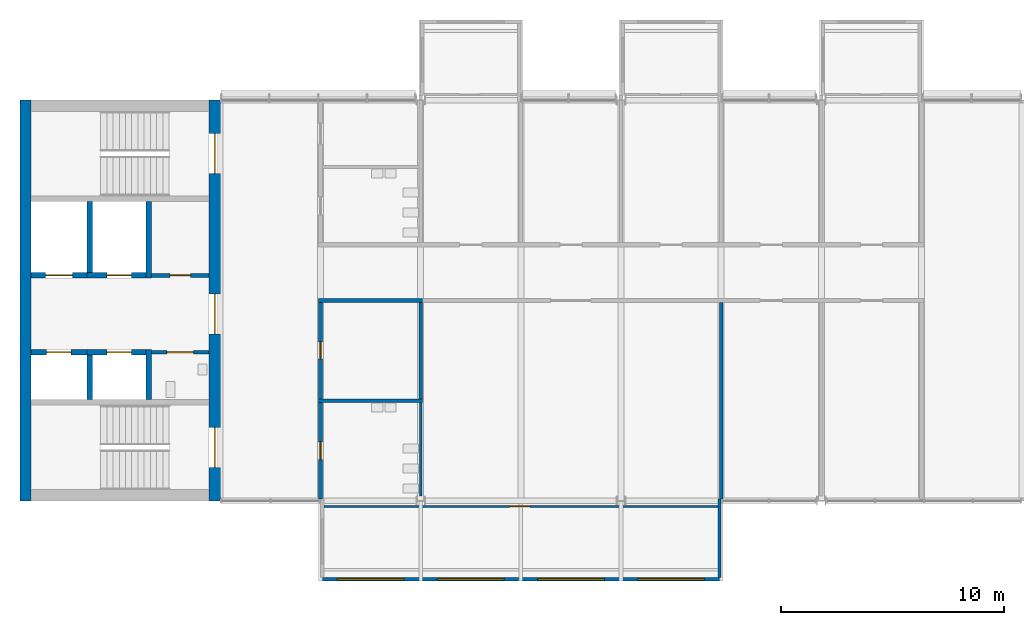
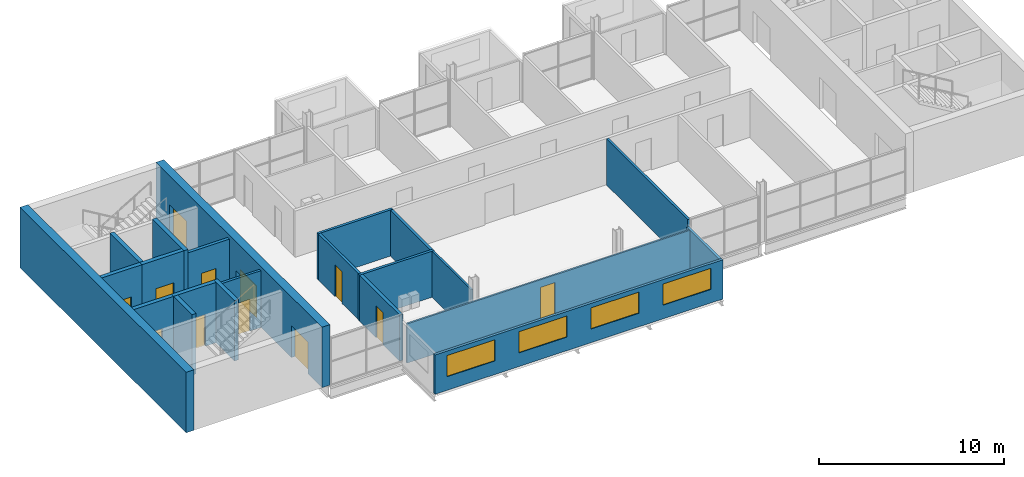
# One storey, part 5 of 11: 22 walls, 12 doors, 4 windows, 16 openings.
"""IFC4 building model written with IfcOpenShell, lengths in metres."""

from ifc_helpers import new_model, si_unit, direction, frame, frame_2d, origin, place, context, subcontext, project, spatial, rectangle, extrude, material, layer, layer_set, type_object, element, fill, save


model = new_model("IFC4")

# Units and contexts
model_context = context("Model", 3, precision=1e-05, world=origin(), true_north=direction((0.0, 1.0)))
body_context = subcontext(model_context, "Body", "Model", "MODEL_VIEW")
ifc_project = project(units=[si_unit("LENGTHUNIT", "METRE"), si_unit("AREAUNIT", "SQUARE_METRE"), si_unit("VOLUMEUNIT", "CUBIC_METRE"), si_unit("PLANEANGLEUNIT", "RADIAN"), si_unit("MASSUNIT", "GRAM", prefix="KILO")], contexts=[model_context])

# Site, building, storey
site_placement = place(None, origin())
site = spatial("IfcSite", under=ifc_project, at=site_placement, CompositionType="ELEMENT")
building_placement = place(site_placement, origin())
building = spatial("IfcBuilding", under=site, at=building_placement, Name="Corbel Yard City Hall", CompositionType="ELEMENT")
storey_placement = place(building_placement, frame((0.0, 0.0, 39.199951171875)))
storey = spatial("IfcBuildingStorey", under=building, at=storey_placement, Name="L09", CompositionType="ELEMENT", Elevation=39.199951171875)

# Walls
ifc_material_1 = material(Name="Concrete N40 (40 MPa)", Category="concrete")
ifc_layer_1 = layer(ifc_material_1, 0.25)
ifc_layer_set_1 = layer_set([ifc_layer_1], Name="Concrete N40 (40 MPa)")
wall_type_1 = type_object("IfcWallType", Name="IW2", PredefinedType="SOLIDWALL", material=ifc_layer_set_1)
wall_1_placement = place(storey_placement, frame((5.77490234375, 103.550048828125, 0.0), z_axis=(0.0, 0.0, 1.0), x_axis=(0.0, 1.0, 0.0)))
element("IfcWall", 1, at=wall_1_placement, inside=storey, type_object=wall_type_1, Name="Lift LP22 shaft wall", PredefinedType="SOLIDWALL", context=body_context, shape_type="SweptSolid", body=[
    extrude(rectangle(XDim=2.25, YDim=0.25, at=frame_2d((1.125, 0.0))), origin(), (0.0, 0.0, 1.0), 4.0),
])
wall_2_placement = place(storey_placement, frame((3.125, 103.550048828125, 0.0), z_axis=(0.0, 0.0, 1.0), x_axis=(0.0, 1.0, 0.0)))
element("IfcWall", 2, at=wall_2_placement, inside=storey, type_object=wall_type_1, Name="Lift LP22 shaft wall", PredefinedType="SOLIDWALL", context=body_context, shape_type="SweptSolid", body=[
    extrude(rectangle(XDim=2.0, YDim=0.25, at=frame_2d((1.0, 0.0))), origin(), (0.0, 0.0, 1.0), 4.0),
])

# Wall, opening, door
wall_3_placement = place(storey_placement, frame((5.64990234375, 105.675048828125, 0.0), z_axis=(0.0, 0.0, 1.0), x_axis=(-1.0, 0.0, 0.0)))
wall_3 = element("IfcWall", 3, at=wall_3_placement, inside=storey, type_object=wall_type_1, Name="Lift LP22 shaft wall", PredefinedType="SOLIDWALL", context=body_context, shape_type="SweptSolid", body=[
    extrude(rectangle(XDim=2.64990234375, YDim=0.25, at=frame_2d((1.324951171875, 0.0))), origin(), (0.0, 0.0, 1.0), 4.0),
])
opening_1_placement = place(wall_3_placement, frame((0.64990234375, 0.0, 0.0)))
opening_1 = element("IfcOpeningElement", 4, at=opening_1_placement, cuts=wall_3, Name="Opening T2-005", PredefinedType="OPENING", context=body_context, shape_type="SweptSolid", body=[
    extrude(rectangle(XDim=1.10009765625, YDim=2.10009765625, at=frame_2d((0.550048828125, 1.050048828125))), frame((0.0, 0.135009765625, 0.0), z_axis=(0.0, -1.0, 0.0), x_axis=(1.0, 0.0, 0.0)), (0.0, 0.0, 1.0), 0.27001953125),
])
ifc_material_2 = material(Name="Stainless steel Grade 316", Category="steel")
door_type_1 = type_object("IfcDoorType", Name="LD1", OperationType="DOUBLE_DOOR_SLIDING", PredefinedType="DOOR", material=ifc_material_2)
door_1_placement = place(opening_1_placement, origin())
door_1 = element("IfcDoor", 5, at=door_1_placement, inside=storey, type_object=door_type_1, Name="Lift LP22 landing door", OperationType="DOUBLE_DOOR_SLIDING", OverallHeight=2.10009765625, OverallWidth=1.10009765625, PredefinedType="DOOR", context=body_context, shape_type="SweptSolid", body=[
    extrude(rectangle(XDim=1.10009765625, YDim=2.10009765625, at=frame_2d((0.550048828125, 1.050048828125))), frame((0.0, 0.02490234375, 0.0), z_axis=(0.0, -1.0, 0.0), x_axis=(1.0, 0.0, 0.0)), (0.0, 0.0, 1.0), 0.050048828125),
])
fill(opening_1, door_1)

wall_4_placement = place(storey_placement, frame((3.0, 105.675048828125, 0.0), z_axis=(0.0, 0.0, 1.0), x_axis=(-1.0, 0.0, 0.0)))
wall_4 = element("IfcWall", 6, at=wall_4_placement, inside=storey, type_object=wall_type_1, Name="Lift LP23 shaft wall", PredefinedType="SOLIDWALL", context=body_context, shape_type="SweptSolid", body=[
    extrude(rectangle(XDim=2.5, YDim=0.25, at=frame_2d((1.25, 0.0))), origin(), (0.0, 0.0, 1.0), 4.0),
])
opening_2_placement = place(wall_4_placement, frame((0.699951171875, 0.0, 0.0)))
opening_2 = element("IfcOpeningElement", 7, at=opening_2_placement, cuts=wall_4, Name="Opening T2-006", PredefinedType="OPENING", context=body_context, shape_type="SweptSolid", body=[
    extrude(rectangle(XDim=1.10009765625, YDim=2.10009765625, at=frame_2d((0.550048828125, 1.050048828125))), frame((0.0, 0.135009765625, 0.0), z_axis=(0.0, -1.0, 0.0), x_axis=(1.0, 0.0, 0.0)), (0.0, 0.0, 1.0), 0.27001953125),
])
door_2_placement = place(opening_2_placement, origin())
door_2 = element("IfcDoor", 8, at=door_2_placement, inside=storey, type_object=door_type_1, Name="Lift LP23 landing door", OperationType="DOUBLE_DOOR_SLIDING", OverallHeight=2.10009765625, OverallWidth=1.10009765625, PredefinedType="DOOR", context=body_context, shape_type="SweptSolid", body=[
    extrude(rectangle(XDim=1.10009765625, YDim=2.10009765625, at=frame_2d((0.550048828125, 1.050048828125))), frame((0.0, 0.02490234375, 0.0), z_axis=(0.0, -1.0, 0.0), x_axis=(1.0, 0.0, 0.0)), (0.0, 0.0, 1.0), 0.050048828125),
])
fill(opening_2, door_2)

# Walls
wall_5_placement = place(storey_placement, frame((5.77490234375, 109.0, 0.0), z_axis=(0.0, 0.0, 1.0), x_axis=(0.0, 1.0, 0.0)))
element("IfcWall", 9, at=wall_5_placement, inside=storey, type_object=wall_type_1, Name="Lift LP24 shaft wall", PredefinedType="SOLIDWALL", context=body_context, shape_type="SweptSolid", body=[
    extrude(rectangle(XDim=3.449951171875, YDim=0.25, at=frame_2d((1.72509765625, 0.0))), origin(), (0.0, 0.0, 1.0), 4.0),
])
wall_6_placement = place(storey_placement, frame((3.125, 109.25, 0.0), z_axis=(0.0, 0.0, 1.0), x_axis=(0.0, 1.0, 0.0)))
element("IfcWall", 10, at=wall_6_placement, inside=storey, type_object=wall_type_1, Name="Lift LP24 shaft wall", PredefinedType="SOLIDWALL", context=body_context, shape_type="SweptSolid", body=[
    extrude(rectangle(XDim=3.199951171875, YDim=0.25, at=frame_2d((1.60009765625, 0.0))), origin(), (0.0, 0.0, 1.0), 4.0),
])

# Wall, opening, door
wall_7_placement = place(storey_placement, frame((5.64990234375, 109.125, 0.0), z_axis=(0.0, 0.0, 1.0), x_axis=(-1.0, 0.0, 0.0)))
wall_7 = element("IfcWall", 11, at=wall_7_placement, inside=storey, type_object=wall_type_1, Name="Lift LP24 shaft wall", PredefinedType="SOLIDWALL", context=body_context, shape_type="SweptSolid", body=[
    extrude(rectangle(XDim=2.64990234375, YDim=0.25, at=frame_2d((1.324951171875, 0.0))), origin(), (0.0, 0.0, 1.0), 4.0),
])
opening_3_placement = place(wall_7_placement, frame((0.64990234375, 0.0, 0.0)))
opening_3 = element("IfcOpeningElement", 12, at=opening_3_placement, cuts=wall_7, Name="Opening T2-007", PredefinedType="OPENING", context=body_context, shape_type="SweptSolid", body=[
    extrude(rectangle(XDim=1.10009765625, YDim=2.10009765625, at=frame_2d((0.550048828125, 1.050048828125))), frame((0.0, 0.135009765625, 0.0), z_axis=(0.0, -1.0, 0.0), x_axis=(1.0, 0.0, 0.0)), (0.0, 0.0, 1.0), 0.27001953125),
])
door_3_placement = place(opening_3_placement, origin())
door_3 = element("IfcDoor", 13, at=door_3_placement, inside=storey, type_object=door_type_1, Name="Lift LP24 landing door", OperationType="DOUBLE_DOOR_SLIDING", OverallHeight=2.10009765625, OverallWidth=1.10009765625, PredefinedType="DOOR", context=body_context, shape_type="SweptSolid", body=[
    extrude(rectangle(XDim=1.10009765625, YDim=2.10009765625, at=frame_2d((0.550048828125, 1.050048828125))), frame((0.0, 0.02490234375, 0.0), z_axis=(0.0, -1.0, 0.0), x_axis=(1.0, 0.0, 0.0)), (0.0, 0.0, 1.0), 0.050048828125),
])
fill(opening_3, door_3)

wall_8_placement = place(storey_placement, frame((3.0, 109.125, 0.0), z_axis=(0.0, 0.0, 1.0), x_axis=(-1.0, 0.0, 0.0)))
wall_8 = element("IfcWall", 14, at=wall_8_placement, inside=storey, type_object=wall_type_1, Name="Lift LF1 shaft wall", PredefinedType="SOLIDWALL", context=body_context, shape_type="SweptSolid", body=[
    extrude(rectangle(XDim=2.5, YDim=0.25, at=frame_2d((1.25, 0.0))), origin(), (0.0, 0.0, 1.0), 4.0),
])
opening_4_placement = place(wall_8_placement, frame((0.64990234375, 0.0, 0.0)))
opening_4 = element("IfcOpeningElement", 15, at=opening_4_placement, cuts=wall_8, Name="Opening T2-008", PredefinedType="OPENING", context=body_context, shape_type="SweptSolid", body=[
    extrude(rectangle(XDim=1.199951171875, YDim=2.10009765625, at=frame_2d((0.60009765625, 1.050048828125))), frame((0.0, 0.135009765625, 0.0), z_axis=(0.0, -1.0, 0.0), x_axis=(1.0, 0.0, 0.0)), (0.0, 0.0, 1.0), 0.27001953125),
])
door_type_2 = type_object("IfcDoorType", Name="LD2", OperationType="DOUBLE_DOOR_SLIDING", PredefinedType="DOOR", material=ifc_material_2)
door_4_placement = place(opening_4_placement, origin())
door_4 = element("IfcDoor", 16, at=door_4_placement, inside=storey, type_object=door_type_2, Name="Lift LF1 landing door", OperationType="DOUBLE_DOOR_SLIDING", OverallHeight=2.10009765625, OverallWidth=1.199951171875, PredefinedType="DOOR", context=body_context, shape_type="SweptSolid", body=[
    extrude(rectangle(XDim=1.199951171875, YDim=2.10009765625, at=frame_2d((0.60009765625, 1.050048828125))), frame((0.0, 0.02490234375, 0.0), z_axis=(0.0, -1.0, 0.0), x_axis=(1.0, 0.0, 0.0)), (0.0, 0.0, 1.0), 0.050048828125),
])
fill(opening_4, door_4)

# Wall, openings, windows
ifc_material_3 = material(Name="Anodised aluminium", Category="aluminium")
ifc_layer_2 = layer(ifc_material_3, 0.02392578125)
ifc_material_4 = material(Name="Steel Grade G550 (550 MPa yield)", Category="steel")
ifc_layer_3 = layer(ifc_material_4, 0.10009765625)
ifc_material_5 = material(Name="Gypsum plasterboard", Category="gypsum")
ifc_layer_4 = layer(ifc_material_5, 0.02587890625)
ifc_layer_set_2 = layer_set([ifc_layer_2, ifc_layer_3, ifc_layer_4], Name="Steel Grade G550 (550 MPa yield)")
wall_type_2 = type_object("IfcWallType", Name="PD1", PredefinedType="SOLIDWALL", material=ifc_layer_set_2)
wall_9_placement = place(storey_placement, frame((13.5, 95.47509765625, 0.0), z_axis=(0.0, 0.0, 1.0), x_axis=(1.0, 0.0, 0.0)))
wall_9 = element("IfcWall", 17, at=wall_9_placement, inside=storey, type_object=wall_type_2, Name="Pod outer wall L09", PredefinedType="SOLIDWALL", context=body_context, shape_type="SweptSolid", body=[
    extrude(rectangle(XDim=18.0, YDim=0.14990234375, at=frame_2d((9.0, 0.0))), origin(), (0.0, 0.0, 1.0), 2.60009765625),
])
opening_5_placement = place(wall_9_placement, frame((0.75, 0.0, 0.89990234375)))
opening_5 = element("IfcOpeningElement", 18, at=opening_5_placement, cuts=wall_9, Name="Opening WN5", PredefinedType="OPENING", context=body_context, shape_type="SweptSolid", body=[
    extrude(rectangle(XDim=3.0, YDim=1.39990234375, at=frame_2d((1.5, 0.699951171875))), frame((0.0, 0.0849609375, 0.0), z_axis=(0.0, -1.0, 0.0), x_axis=(1.0, 0.0, 0.0)), (0.0, 0.0, 1.0), 0.169921875),
])
opening_6_placement = place(wall_9_placement, frame((5.25, 0.0, 0.89990234375)))
opening_6 = element("IfcOpeningElement", 19, at=opening_6_placement, cuts=wall_9, Name="Opening WN5", PredefinedType="OPENING", context=body_context, shape_type="SweptSolid", body=[
    extrude(rectangle(XDim=3.0, YDim=1.39990234375, at=frame_2d((1.5, 0.699951171875))), frame((0.0, 0.0849609375, 0.0), z_axis=(0.0, -1.0, 0.0), x_axis=(1.0, 0.0, 0.0)), (0.0, 0.0, 1.0), 0.169921875),
])
opening_7_placement = place(wall_9_placement, frame((9.75, 0.0, 0.89990234375)))
opening_7 = element("IfcOpeningElement", 20, at=opening_7_placement, cuts=wall_9, Name="Opening WN5", PredefinedType="OPENING", context=body_context, shape_type="SweptSolid", body=[
    extrude(rectangle(XDim=3.0, YDim=1.39990234375, at=frame_2d((1.5, 0.699951171875))), frame((0.0, 0.0849609375, 0.0), z_axis=(0.0, -1.0, 0.0), x_axis=(1.0, 0.0, 0.0)), (0.0, 0.0, 1.0), 0.169921875),
])
opening_8_placement = place(wall_9_placement, frame((14.25, 0.0, 0.89990234375)))
opening_8 = element("IfcOpeningElement", 21, at=opening_8_placement, cuts=wall_9, Name="Opening WN5", PredefinedType="OPENING", context=body_context, shape_type="SweptSolid", body=[
    extrude(rectangle(XDim=3.0, YDim=1.39990234375, at=frame_2d((1.5, 0.699951171875))), frame((0.0, 0.0849609375, 0.0), z_axis=(0.0, -1.0, 0.0), x_axis=(1.0, 0.0, 0.0)), (0.0, 0.0, 1.0), 0.169921875),
])
ifc_material_6 = material(Name="Aluminium frame, double glazed low-e glass", Category="aluminium")
window_type = type_object("IfcWindowType", Name="WN5", PartitioningType="SINGLE_PANEL", PredefinedType="WINDOW", material=ifc_material_6)
window_1_placement = place(opening_5_placement, origin())
window_1 = element("IfcWindow", 22, at=window_1_placement, inside=storey, type_object=window_type, Name="Window WN5 L09", OverallHeight=1.39990234375, OverallWidth=3.0, PartitioningType="SINGLE_PANEL", PredefinedType="WINDOW", context=body_context, shape_type="SweptSolid", body=[
    extrude(rectangle(XDim=3.0, YDim=1.39990234375, at=frame_2d((1.5, 0.699951171875))), frame((0.0, 0.030029296875, 0.0), z_axis=(0.0, -1.0, 0.0), x_axis=(1.0, 0.0, 0.0)), (0.0, 0.0, 1.0), 0.06005859375),
])
fill(opening_5, window_1)
window_2_placement = place(opening_6_placement, origin())
window_2 = element("IfcWindow", 23, at=window_2_placement, inside=storey, type_object=window_type, Name="Window WN5 L09", OverallHeight=1.39990234375, OverallWidth=3.0, PartitioningType="SINGLE_PANEL", PredefinedType="WINDOW", context=body_context, shape_type="SweptSolid", body=[
    extrude(rectangle(XDim=3.0, YDim=1.39990234375, at=frame_2d((1.5, 0.699951171875))), frame((0.0, 0.030029296875, 0.0), z_axis=(0.0, -1.0, 0.0), x_axis=(1.0, 0.0, 0.0)), (0.0, 0.0, 1.0), 0.06005859375),
])
fill(opening_6, window_2)
window_3_placement = place(opening_7_placement, origin())
window_3 = element("IfcWindow", 24, at=window_3_placement, inside=storey, type_object=window_type, Name="Window WN5 L09", OverallHeight=1.39990234375, OverallWidth=3.0, PartitioningType="SINGLE_PANEL", PredefinedType="WINDOW", context=body_context, shape_type="SweptSolid", body=[
    extrude(rectangle(XDim=3.0, YDim=1.39990234375, at=frame_2d((1.5, 0.699951171875))), frame((0.0, 0.030029296875, 0.0), z_axis=(0.0, -1.0, 0.0), x_axis=(1.0, 0.0, 0.0)), (0.0, 0.0, 1.0), 0.06005859375),
])
fill(opening_7, window_3)
window_4_placement = place(opening_8_placement, origin())
window_4 = element("IfcWindow", 25, at=window_4_placement, inside=storey, type_object=window_type, Name="Window WN5 L09", OverallHeight=1.39990234375, OverallWidth=3.0, PartitioningType="SINGLE_PANEL", PredefinedType="WINDOW", context=body_context, shape_type="SweptSolid", body=[
    extrude(rectangle(XDim=3.0, YDim=1.39990234375, at=frame_2d((1.5, 0.699951171875))), frame((0.0, 0.030029296875, 0.0), z_axis=(0.0, -1.0, 0.0), x_axis=(1.0, 0.0, 0.0)), (0.0, 0.0, 1.0), 0.06005859375),
])
fill(opening_8, window_4)

# Wall, opening, door
ifc_layer_5 = layer(ifc_material_5, 0.01806640625)
ifc_layer_6 = layer(ifc_material_4, 0.06396484375)
ifc_layer_7 = layer(ifc_material_5, 0.01806640625)
ifc_layer_set_3 = layer_set([ifc_layer_5, ifc_layer_6, ifc_layer_7], Name="Steel Grade G550 (550 MPa yield)")
wall_type_3 = type_object("IfcWallType", Name="PD2", PredefinedType="PARTITIONING", material=ifc_layer_set_3)
wall_10_placement = place(storey_placement, frame((13.64990234375, 98.75, 0.0), z_axis=(0.0, 0.0, 1.0), x_axis=(1.0, 0.0, 0.0)))
wall_10 = element("IfcWall", 26, at=wall_10_placement, inside=storey, type_object=wall_type_3, Name="Pod inner wall L09", PredefinedType="PARTITIONING", context=body_context, shape_type="SweptSolid", body=[
    extrude(rectangle(XDim=17.7001953125, YDim=0.10009765625, at=frame_2d((8.85009765625, 0.0))), origin(), (0.0, 0.0, 1.0), 2.60009765625),
])
opening_9_placement = place(wall_10_placement, frame((8.35009765625, 0.0, 0.0)))
opening_9 = element("IfcOpeningElement", 27, at=opening_9_placement, cuts=wall_10, Name="Opening T2-001", PredefinedType="OPENING", context=body_context, shape_type="SweptSolid", body=[
    extrude(rectangle(XDim=0.89990234375, YDim=2.10009765625, at=frame_2d((0.449951171875, 1.050048828125))), frame((0.0, 0.06005859375, 0.0), z_axis=(0.0, -1.0, 0.0), x_axis=(1.0, 0.0, 0.0)), (0.0, 0.0, 1.0), 0.1201171875),
])
ifc_material_7 = material(Name="Timber, solid core", Category="wood")
door_type_3 = type_object("IfcDoorType", Name="XD6", OperationType="SINGLE_SWING_LEFT", PredefinedType="DOOR", material=ifc_material_7)
door_5_placement = place(opening_9_placement, frame((0.89990234375, 0.0, 0.0), z_axis=(0.0, 0.0, 1.0), x_axis=(-1.0, 0.0, 0.0)))
door_5 = element("IfcDoor", 28, at=door_5_placement, inside=storey, type_object=door_type_3, Name="Pod door L09", OperationType="SINGLE_SWING_RIGHT", OverallHeight=2.10009765625, OverallWidth=0.89990234375, PredefinedType="DOOR", context=body_context, shape_type="SweptSolid", body=[
    extrude(rectangle(XDim=0.89990234375, YDim=2.10009765625, at=frame_2d((0.449951171875, 1.050048828125))), frame((0.0, 0.02490234375, 0.0), z_axis=(0.0, -1.0, 0.0), x_axis=(1.0, 0.0, 0.0)), (0.0, 0.0, 1.0), 0.050048828125),
])
fill(opening_9, door_5)

# Walls
ifc_layer_8 = layer(ifc_material_3, 0.02392578125)
ifc_layer_9 = layer(ifc_material_4, 0.10009765625)
ifc_layer_10 = layer(ifc_material_5, 0.02587890625)
ifc_layer_set_4 = layer_set([ifc_layer_8, ifc_layer_9, ifc_layer_10], Name="Steel Grade G550 (550 MPa yield)")
wall_type_4 = type_object("IfcWallType", Name="PD3", PredefinedType="SOLIDWALL", material=ifc_layer_set_4)
wall_11_placement = place(storey_placement, frame((31.425048828125, 95.550048828125, -0.14990234375), z_axis=(0.0, 0.0, 1.0), x_axis=(0.0, 1.0, 0.0)))
element("IfcWall", 29, at=wall_11_placement, inside=storey, type_object=wall_type_4, Name="Pod side wall L09", PredefinedType="SOLIDWALL", context=body_context, shape_type="SweptSolid", body=[
    extrude(rectangle(XDim=3.52490234375, YDim=0.14990234375, at=frame_2d((1.762451171875, 0.0))), origin(), (0.0, 0.0, 1.0), 2.75),
])
ifc_layer_11 = layer(ifc_material_5, 0.028076171875)
ifc_layer_12 = layer(ifc_material_4, 0.06396484375)
ifc_layer_13 = layer(ifc_material_5, 0.028076171875)
ifc_layer_set_5 = layer_set([ifc_layer_11, ifc_layer_12, ifc_layer_13], Name="Steel Grade G550 (550 MPa yield)")
wall_type_5 = type_object("IfcWallType", Name="PT1", PredefinedType="PARTITIONING", material=ifc_layer_set_5)
wall_12_placement = place(storey_placement, frame((18.0, 99.20703125, 0.0), z_axis=(0.0, 0.0, 1.0), x_axis=(0.0, 1.0, 0.0)))
element("IfcWall", 30, at=wall_12_placement, inside=storey, type_object=wall_type_5, Name="Partition", PredefinedType="PARTITIONING", context=body_context, shape_type="SweptSolid", body=[
    extrude(rectangle(XDim=4.212890625, YDim=0.1201171875, at=frame_2d((2.1064453125, 0.0))), origin(), (0.0, 0.0, 1.0), 3.050048828125),
])

# Wall, opening, door
ifc_layer_14 = layer(ifc_material_5, 0.031982421875)
ifc_layer_15 = layer(ifc_material_4, 0.135986328125)
ifc_layer_16 = layer(ifc_material_5, 0.031982421875)
ifc_layer_set_6 = layer_set([ifc_layer_14, ifc_layer_15, ifc_layer_16], Name="Steel Grade G550 (550 MPa yield)")
wall_type_6 = type_object("IfcWallType", Name="PT2", PredefinedType="PARTITIONING", material=ifc_layer_set_6)
wall_13_placement = place(storey_placement, frame((13.5, 99.074951171875, 0.0), z_axis=(0.0, 0.0, 1.0), x_axis=(0.0, 1.0, 0.0)))
wall_13 = element("IfcWall", 31, at=wall_13_placement, inside=storey, type_object=wall_type_6, Name="Acoustic wall", PredefinedType="PARTITIONING", context=body_context, shape_type="SweptSolid", body=[
    extrude(rectangle(XDim=4.344970703125, YDim=0.199951171875, at=frame_2d((2.17236328125, 0.0))), origin(), (0.0, 0.0, 1.0), 3.050048828125),
])
opening_10_placement = place(wall_13_placement, frame((1.77490234375, 0.0, 0.0)))
opening_10 = element("IfcOpeningElement", 32, at=opening_10_placement, cuts=wall_13, Name="Opening T2-013", PredefinedType="OPENING", context=body_context, shape_type="SweptSolid", body=[
    extrude(rectangle(XDim=0.800048828125, YDim=2.10009765625, at=frame_2d((0.39990234375, 1.050048828125))), frame((0.0, 0.10986328125, 0.0), z_axis=(0.0, -1.0, 0.0), x_axis=(1.0, 0.0, 0.0)), (0.0, 0.0, 1.0), 0.219970703125),
])
ifc_material_8 = material(Name="Timber", Category="wood")
door_type_4 = type_object("IfcDoorType", Name="D44", OperationType="SINGLE_SWING_LEFT", PredefinedType="DOOR", material=ifc_material_8)
door_6_placement = place(opening_10_placement, frame((0.800048828125, 0.0, 0.0), z_axis=(0.0, 0.0, 1.0), x_axis=(-1.0, 0.0, 0.0)))
door_6 = element("IfcDoor", 33, at=door_6_placement, inside=storey, type_object=door_type_4, Name="Door Women's WC 0904", OperationType="SINGLE_SWING_LEFT", OverallHeight=2.10009765625, OverallWidth=0.800048828125, PredefinedType="DOOR", context=body_context, shape_type="SweptSolid", body=[
    extrude(rectangle(XDim=0.800048828125, YDim=2.10009765625, at=frame_2d((0.39990234375, 1.050048828125))), frame((0.0, 0.02490234375, 0.0), z_axis=(0.0, -1.0, 0.0), x_axis=(1.0, 0.0, 0.0)), (0.0, 0.0, 1.0), 0.050048828125),
])
fill(opening_10, door_6)

ifc_layer_17 = layer(ifc_material_5, 0.031982421875)
ifc_layer_18 = layer(ifc_material_4, 0.095947265625)
ifc_layer_19 = layer(ifc_material_5, 0.031982421875)
ifc_layer_set_7 = layer_set([ifc_layer_17, ifc_layer_18, ifc_layer_19], Name="Steel Grade G550 (550 MPa yield)")
wall_type_7 = type_object("IfcWallType", Name="PT3", PredefinedType="PARTITIONING", material=ifc_layer_set_7)
wall_14_placement = place(storey_placement, frame((8.5, 105.675048828125, 0.0), z_axis=(0.0, 0.0, 1.0), x_axis=(-1.0, 0.0, 0.0)))
wall_14 = element("IfcWall", 34, at=wall_14_placement, inside=storey, type_object=wall_type_7, Name="Accessible WC wall", PredefinedType="PARTITIONING", context=body_context, shape_type="SweptSolid", body=[
    extrude(rectangle(XDim=2.60009765625, YDim=0.159912109375, at=frame_2d((1.300048828125, 0.0))), origin(), (0.0, 0.0, 1.0), 3.75),
])
opening_11_placement = place(wall_14_placement, frame((0.699951171875, 0.0, 0.0)))
opening_11 = element("IfcOpeningElement", 35, at=opening_11_placement, cuts=wall_14, Name="Opening T2-028", PredefinedType="OPENING", context=body_context, shape_type="SweptSolid", body=[
    extrude(rectangle(XDim=1.199951171875, YDim=2.10009765625, at=frame_2d((0.60009765625, 1.050048828125))), frame((0.0, 0.08984375, 0.0), z_axis=(0.0, -1.0, 0.0), x_axis=(1.0, 0.0, 0.0)), (0.0, 0.0, 1.0), 0.179931640625),
])
ifc_material_9 = material(Name="Steel Grade G250", Category="steel")
door_type_5 = type_object("IfcDoorType", Name="FD7", OperationType="SINGLE_SWING_LEFT", PredefinedType="DOOR", material=ifc_material_9)
door_7_placement = place(opening_11_placement, origin())
door_7 = element("IfcDoor", 36, at=door_7_placement, inside=storey, type_object=door_type_5, Name="Door accessible WC West", OperationType="SINGLE_SWING_LEFT", OverallHeight=2.10009765625, OverallWidth=1.199951171875, PredefinedType="DOOR", context=body_context, shape_type="SweptSolid", body=[
    extrude(rectangle(XDim=1.199951171875, YDim=2.10009765625, at=frame_2d((0.60009765625, 1.050048828125))), frame((0.0, 0.02490234375, 0.0), z_axis=(0.0, -1.0, 0.0), x_axis=(1.0, 0.0, 0.0)), (0.0, 0.0, 1.0), 0.050048828125),
])
fill(opening_11, door_7)

# Walls
wall_15_placement = place(storey_placement, frame((13.39990234375, 103.5, 0.0), z_axis=(0.0, 0.0, 1.0), x_axis=(1.0, 0.0, 0.0)))
element("IfcWall", 37, at=wall_15_placement, inside=storey, type_object=wall_type_7, Name="Fire-resisting wall", PredefinedType="PARTITIONING", context=body_context, shape_type="SweptSolid", body=[
    extrude(rectangle(XDim=4.68017578125, YDim=0.159912109375, at=frame_2d((2.340087890625, 0.0))), origin(), (0.0, 0.0, 1.0), 3.050048828125),
])
wall_16_placement = place(storey_placement, frame((13.419921875, 108.0, 0.0), z_axis=(0.0, 0.0, 1.0), x_axis=(1.0, 0.0, 0.0)))
element("IfcWall", 38, at=wall_16_placement, inside=storey, type_object=wall_type_7, Name="Fire-resisting wall", PredefinedType="PARTITIONING", context=body_context, shape_type="SweptSolid", body=[
    extrude(rectangle(XDim=4.66015625, YDim=0.159912109375, at=frame_2d((2.330078125, 0.0))), origin(), (0.0, 0.0, 1.0), 3.050048828125),
])

# Wall, opening, door
wall_17_placement = place(storey_placement, frame((13.5, 103.580078125, 0.0), z_axis=(0.0, 0.0, 1.0), x_axis=(0.0, 1.0, 0.0)))
wall_17 = element("IfcWall", 39, at=wall_17_placement, inside=storey, type_object=wall_type_7, Name="Fire-resisting wall", PredefinedType="PARTITIONING", context=body_context, shape_type="SweptSolid", body=[
    extrude(rectangle(XDim=4.33984375, YDim=0.159912109375, at=frame_2d((2.169921875, 0.0))), origin(), (0.0, 0.0, 1.0), 3.050048828125),
])
opening_12_placement = place(wall_17_placement, frame((1.794921875, 0.0, 0.0)))
opening_12 = element("IfcOpeningElement", 40, at=opening_12_placement, cuts=wall_17, Name="Opening T2-014", PredefinedType="OPENING", context=body_context, shape_type="SweptSolid", body=[
    extrude(rectangle(XDim=0.75, YDim=2.10009765625, at=frame_2d((0.375, 1.050048828125))), frame((0.0, 0.08984375, 0.0), z_axis=(0.0, -1.0, 0.0), x_axis=(1.0, 0.0, 0.0)), (0.0, 0.0, 1.0), 0.179931640625),
])
door_type_6 = type_object("IfcDoorType", Name="FD42", OperationType="SINGLE_SWING_LEFT", PredefinedType="DOOR", material=ifc_material_9)
door_8_placement = place(opening_12_placement, frame((0.75, 0.0, 0.0), z_axis=(0.0, 0.0, 1.0), x_axis=(-1.0, 0.0, 0.0)))
door_8 = element("IfcDoor", 41, at=door_8_placement, inside=storey, type_object=door_type_6, Name="Door Cleaners' Room 0905", OperationType="SINGLE_SWING_RIGHT", OverallHeight=2.10009765625, OverallWidth=0.75, PredefinedType="DOOR", context=body_context, shape_type="SweptSolid", body=[
    extrude(rectangle(XDim=0.75, YDim=2.10009765625, at=frame_2d((0.375, 1.050048828125))), frame((0.0, 0.02490234375, 0.0), z_axis=(0.0, -1.0, 0.0), x_axis=(1.0, 0.0, 0.0)), (0.0, 0.0, 1.0), 0.050048828125),
])
fill(opening_12, door_8)

# Wall
wall_18_placement = place(storey_placement, frame((18.0, 103.580078125, 0.0), z_axis=(0.0, 0.0, 1.0), x_axis=(0.0, 1.0, 0.0)))
element("IfcWall", 42, at=wall_18_placement, inside=storey, type_object=wall_type_7, Name="Fire-resisting wall", PredefinedType="PARTITIONING", context=body_context, shape_type="SweptSolid", body=[
    extrude(rectangle(XDim=4.31982421875, YDim=0.159912109375, at=frame_2d((2.159912109375, 0.0))), origin(), (0.0, 0.0, 1.0), 3.050048828125),
])

# Wall, opening, door
ifc_material_10 = material(Name="Concrete block", Category="concrete")
ifc_layer_20 = layer(ifc_material_10, 0.18994140625)
ifc_layer_set_8 = layer_set([ifc_layer_20], Name="Concrete block")
wall_type_8 = type_object("IfcWallType", Name="PT4", PredefinedType="PARTITIONING", material=ifc_layer_set_8)
wall_19_placement = place(storey_placement, frame((8.5, 109.125, 0.0), z_axis=(0.0, 0.0, 1.0), x_axis=(-1.0, 0.0, 0.0)))
wall_19 = element("IfcWall", 43, at=wall_19_placement, inside=storey, type_object=wall_type_8, Name="Riser wall", PredefinedType="PARTITIONING", context=body_context, shape_type="SweptSolid", body=[
    extrude(rectangle(XDim=2.60009765625, YDim=0.18994140625, at=frame_2d((1.300048828125, 0.0))), origin(), (0.0, 0.0, 1.0), 3.75),
])
opening_13_placement = place(wall_19_placement, frame((0.840087890625, 0.0, 0.0)))
opening_13 = element("IfcOpeningElement", 44, at=opening_13_placement, cuts=wall_19, Name="Opening T2-029", PredefinedType="OPENING", context=body_context, shape_type="SweptSolid", body=[
    extrude(rectangle(XDim=0.919921875, YDim=2.10009765625, at=frame_2d((0.4599609375, 1.050048828125))), frame((0.0, 0.10498046875, 0.0), z_axis=(0.0, -1.0, 0.0), x_axis=(1.0, 0.0, 0.0)), (0.0, 0.0, 1.0), 0.2099609375),
])
door_type_7 = type_object("IfcDoorType", Name="FS4", OperationType="SINGLE_SWING_LEFT", PredefinedType="DOOR", material=ifc_material_9)
door_9_placement = place(opening_13_placement, frame((0.919921875, 0.0, 0.0), z_axis=(0.0, 0.0, 1.0), x_axis=(-1.0, 0.0, 0.0)))
door_9 = element("IfcDoor", 45, at=door_9_placement, inside=storey, type_object=door_type_7, Name="Door riser West", OperationType="SINGLE_SWING_RIGHT", OverallHeight=2.10009765625, OverallWidth=0.919921875, PredefinedType="DOOR", context=body_context, shape_type="SweptSolid", body=[
    extrude(rectangle(XDim=0.919921875, YDim=2.10009765625, at=frame_2d((0.4599609375, 1.050048828125))), frame((0.0, 0.02490234375, 0.0), z_axis=(0.0, -1.0, 0.0), x_axis=(1.0, 0.0, 0.0)), (0.0, 0.0, 1.0), 0.050048828125),
])
fill(opening_13, door_9)

# Walls
ifc_layer_21 = layer(ifc_material_5, 0.031982421875)
ifc_layer_22 = layer(ifc_material_4, 0.0859375)
ifc_layer_23 = layer(ifc_material_5, 0.031982421875)
ifc_layer_set_9 = layer_set([ifc_layer_21, ifc_layer_22, ifc_layer_23], Name="Steel Grade G550 (550 MPa yield)")
wall_type_9 = type_object("IfcWallType", Name="PT7", PredefinedType="PARTITIONING", material=ifc_layer_set_9)
wall_20_placement = place(storey_placement, frame((31.5, 99.074951171875, 0.0), z_axis=(0.0, 0.0, 1.0), x_axis=(0.0, 1.0, 0.0)))
element("IfcWall", 46, at=wall_20_placement, inside=storey, type_object=wall_type_9, Name="Suite partition", PredefinedType="PARTITIONING", context=body_context, shape_type="SweptSolid", body=[
    extrude(rectangle(XDim=8.824951171875, YDim=0.14990234375, at=frame_2d((4.41259765625, 0.0))), origin(), (0.0, 0.0, 1.0), 3.050048828125),
])
ifc_material_11 = material(Name="Concrete N50 (50 MPa)", Category="concrete")
ifc_layer_24 = layer(ifc_material_11, 0.5)
ifc_layer_set_10 = layer_set([ifc_layer_24], Name="Concrete N50 (50 MPa)")
wall_type_10 = type_object("IfcWallType", Name="Trunk wall 500", PredefinedType="SHEAR", material=ifc_layer_set_10)
wall_21_placement = place(storey_placement, frame((0.25, 99.0, 0.0), z_axis=(0.0, 0.0, 1.0), x_axis=(0.0, 1.0, 0.0)))
element("IfcWall", 47, at=wall_21_placement, inside=storey, type_object=wall_type_10, Name="Trunk W west wall", PredefinedType="SHEAR", context=body_context, shape_type="SweptSolid", body=[
    extrude(rectangle(XDim=18.0, YDim=0.5, at=frame_2d((9.0, 0.0))), origin(), (0.0, 0.0, 1.0), 4.0),
])

# Wall, openings, doors
wall_22_placement = place(storey_placement, frame((8.75, 99.0, 0.0), z_axis=(0.0, 0.0, 1.0), x_axis=(0.0, 1.0, 0.0)))
wall_22 = element("IfcWall", 48, at=wall_22_placement, inside=storey, type_object=wall_type_10, Name="Trunk W east wall", PredefinedType="SHEAR", context=body_context, shape_type="SweptSolid", body=[
    extrude(rectangle(XDim=18.0, YDim=0.5, at=frame_2d((9.0, 0.0))), origin(), (0.0, 0.0, 1.0), 4.0),
])
opening_14_placement = place(wall_22_placement, frame((1.5, 0.0, 0.0)))
opening_14 = element("IfcOpeningElement", 49, at=opening_14_placement, cuts=wall_22, Name="Opening T2-025", PredefinedType="OPENING", context=body_context, shape_type="SweptSolid", body=[
    extrude(rectangle(XDim=1.800048828125, YDim=2.10009765625, at=frame_2d((0.89990234375, 1.050048828125))), frame((0.0, 0.260009765625, 0.0), z_axis=(0.0, -1.0, 0.0), x_axis=(1.0, 0.0, 0.0)), (0.0, 0.0, 1.0), 0.52001953125),
])
opening_15_placement = place(wall_22_placement, frame((14.699951171875, 0.0, 0.0)))
opening_15 = element("IfcOpeningElement", 50, at=opening_15_placement, cuts=wall_22, Name="Opening T2-026", PredefinedType="OPENING", context=body_context, shape_type="SweptSolid", body=[
    extrude(rectangle(XDim=1.800048828125, YDim=2.10009765625, at=frame_2d((0.89990234375, 1.050048828125))), frame((0.0, 0.260009765625, 0.0), z_axis=(0.0, -1.0, 0.0), x_axis=(1.0, 0.0, 0.0)), (0.0, 0.0, 1.0), 0.52001953125),
])
opening_16_placement = place(wall_22_placement, frame((7.5, 0.0, 0.0)))
opening_16 = element("IfcOpeningElement", 51, at=opening_16_placement, cuts=wall_22, Name="Opening T2-027", PredefinedType="OPENING", context=body_context, shape_type="SweptSolid", body=[
    extrude(rectangle(XDim=1.800048828125, YDim=2.10009765625, at=frame_2d((0.89990234375, 1.050048828125))), frame((0.0, 0.260009765625, 0.0), z_axis=(0.0, -1.0, 0.0), x_axis=(1.0, 0.0, 0.0)), (0.0, 0.0, 1.0), 0.52001953125),
])
door_type_8 = type_object("IfcDoorType", Name="FS3", OperationType="DOUBLE_DOOR_SINGLE_SWING", PredefinedType="DOOR", material=ifc_material_9)
door_10_placement = place(opening_14_placement, origin())
door_10 = element("IfcDoor", 52, at=door_10_placement, inside=storey, type_object=door_type_8, Name="Door ST-W1", OperationType="DOUBLE_DOOR_SINGLE_SWING", OverallHeight=2.10009765625, OverallWidth=1.800048828125, PredefinedType="DOOR", context=body_context, shape_type="SweptSolid", body=[
    extrude(rectangle(XDim=1.800048828125, YDim=2.10009765625, at=frame_2d((0.89990234375, 1.050048828125))), frame((0.0, 0.02490234375, 0.0), z_axis=(0.0, -1.0, 0.0), x_axis=(1.0, 0.0, 0.0)), (0.0, 0.0, 1.0), 0.050048828125),
])
fill(opening_14, door_10)
door_11_placement = place(opening_15_placement, origin())
door_11 = element("IfcDoor", 53, at=door_11_placement, inside=storey, type_object=door_type_8, Name="Door ST-W2", OperationType="DOUBLE_DOOR_SINGLE_SWING", OverallHeight=2.10009765625, OverallWidth=1.800048828125, PredefinedType="DOOR", context=body_context, shape_type="SweptSolid", body=[
    extrude(rectangle(XDim=1.800048828125, YDim=2.10009765625, at=frame_2d((0.89990234375, 1.050048828125))), frame((0.0, 0.02490234375, 0.0), z_axis=(0.0, -1.0, 0.0), x_axis=(1.0, 0.0, 0.0)), (0.0, 0.0, 1.0), 0.050048828125),
])
fill(opening_15, door_11)
door_12_placement = place(opening_16_placement, origin())
door_12 = element("IfcDoor", 54, at=door_12_placement, inside=storey, type_object=door_type_8, Name="Door lift lobby West", OperationType="DOUBLE_DOOR_SINGLE_SWING", OverallHeight=2.10009765625, OverallWidth=1.800048828125, PredefinedType="DOOR", context=body_context, shape_type="SweptSolid", body=[
    extrude(rectangle(XDim=1.800048828125, YDim=2.10009765625, at=frame_2d((0.89990234375, 1.050048828125))), frame((0.0, 0.02490234375, 0.0), z_axis=(0.0, -1.0, 0.0), x_axis=(1.0, 0.0, 0.0)), (0.0, 0.0, 1.0), 0.050048828125),
])
fill(opening_16, door_12)

save(model, "model.ifc")
